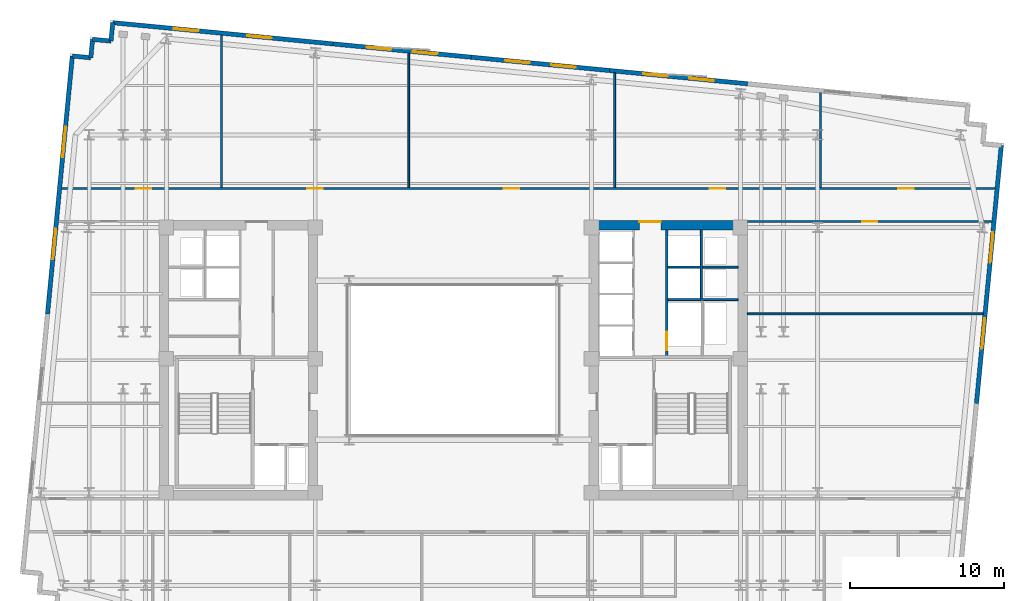
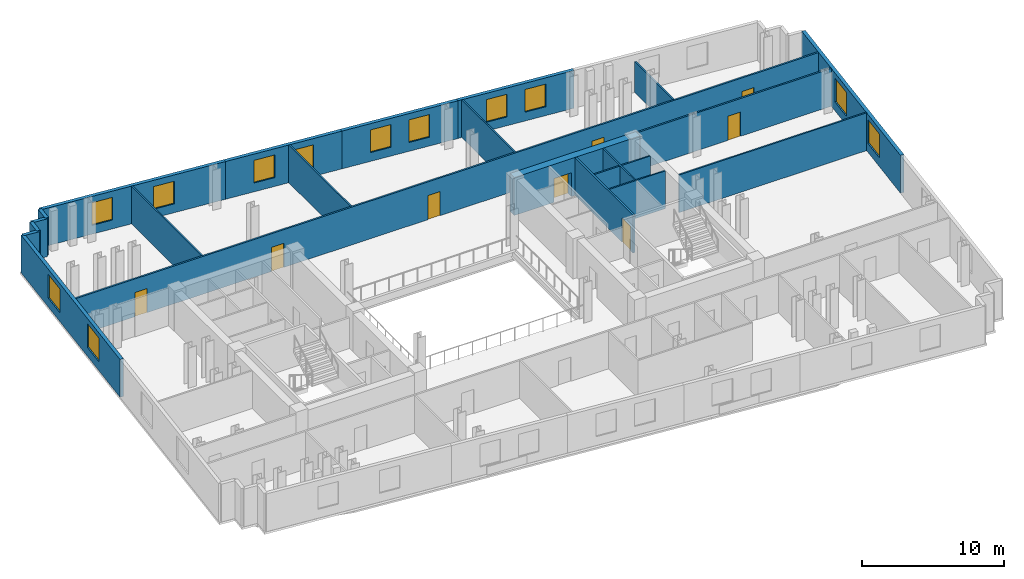
# One storey, part 6 of 9: 23 walls, 12 windows, 8 doors, 20 openings.
"""IFC4 building model written with IfcOpenShell, lengths in metres."""

from ifc_helpers import new_model, si_unit, direction, frame, frame_2d, origin, place, context, subcontext, project, spatial, rectangle, extrude, material, layer, layer_set, type_object, element, fill, save


model = new_model("IFC4")

# Units and contexts
model_context = context("Model", 3, precision=1e-05, world=origin(), true_north=direction((0.0, 1.0)))
body_context = subcontext(model_context, "Body", "Model", "MODEL_VIEW")
ifc_project = project(units=[si_unit("LENGTHUNIT", "METRE"), si_unit("AREAUNIT", "SQUARE_METRE"), si_unit("VOLUMEUNIT", "CUBIC_METRE"), si_unit("PLANEANGLEUNIT", "RADIAN"), si_unit("MASSUNIT", "GRAM", prefix="KILO")], contexts=[model_context])

# Site, building, storey
site_placement = place(None, origin())
site = spatial("IfcSite", under=ifc_project, at=site_placement, CompositionType="ELEMENT")
building_placement = place(site_placement, origin())
building = spatial("IfcBuilding", under=site, at=building_placement, Name="Velakula Bourse", CompositionType="ELEMENT")
storey_placement = place(building_placement, frame((0.0, 0.0, 170.75)))
storey = spatial("IfcBuildingStorey", under=building, at=storey_placement, Name="L46", CompositionType="ELEMENT", Elevation=170.75)

# Wall, opening, door
ifc_material_1 = material(Name="Concrete M70 (fck 70 MPa)", Category="concrete")
ifc_layer_1 = layer(ifc_material_1, 0.60009765625, Name="Concrete M70 (fck 70 MPa)", Category="concrete")
ifc_layer_set_1 = layer_set([ifc_layer_1], Name="Concrete M70 (fck 70 MPa)")
wall_type_1 = type_object("IfcWallType", Name="WL-CORE-600", PredefinedType="SHEAR", material=ifc_layer_set_1)
wall_1_placement = place(storey_placement, frame((8.800048828125, 8.75, 0.0), z_axis=(0.0, 0.0, 1.0), x_axis=(1.0, 0.0, 0.0)))
wall_1 = element("IfcWall", 1, at=wall_1_placement, inside=storey, type_object=wall_type_1, Name="L46 Core E Shear Wall N", PredefinedType="SHEAR", context=body_context, shape_type="SweptSolid", body=[
    extrude(rectangle(XDim=10.25, YDim=0.60009765625, at=frame_2d((5.125, 0.0))), origin(), (0.0, 0.0, 1.0), 3.27001953125),
])
opening_1_placement = place(wall_1_placement, frame((3.25, 0.0, 0.0)))
opening_1 = element("IfcOpeningElement", 2, at=opening_1_placement, cuts=wall_1, Name="Opening D-LLE", PredefinedType="OPENING", context=body_context, shape_type="SweptSolid", body=[
    extrude(rectangle(XDim=1.39990234375, YDim=2.050048828125, at=frame_2d((0.699951171875, 1.02490234375))), frame((0.0, 0.31005859375, 0.0), z_axis=(0.0, -1.0, 0.0), x_axis=(1.0, 0.0, 0.0)), (0.0, 0.0, 1.0), 0.6201171875),
])
ifc_material_2 = material(Name="Fire-rated hardwood flush architectural door", Category="wood")
door_type_1 = type_object("IfcDoorType", Name="DR-DBL-FD60-1400", OperationType="DOUBLE_DOOR_SINGLE_SWING", PredefinedType="DOOR", material=ifc_material_2)
door_1_placement = place(opening_1_placement, origin())
door_1 = element("IfcDoor", 3, at=door_1_placement, inside=storey, type_object=door_type_1, Name="L46 Core E Lift Lobby Corridor Double Door", OperationType="DOUBLE_DOOR_SINGLE_SWING", OverallHeight=2.050048828125, OverallWidth=1.39990234375, PredefinedType="DOOR", context=body_context, shape_type="SweptSolid", body=[
    extrude(rectangle(XDim=1.39990234375, YDim=2.050048828125, at=frame_2d((0.699951171875, 1.02490234375))), frame((0.0, 0.2451171875, 0.0), z_axis=(0.0, -1.0, 0.0), x_axis=(1.0, 0.0, 0.0)), (0.0, 0.0, 1.0), 0.050048828125),
])
fill(opening_1, door_1)

# Wall, openings, windows
ifc_material_3 = material(Name="Red kilned clay facing brick masonry", Category="masonry")
ifc_layer_2 = layer(ifc_material_3, 0.280029296875, Name="Red kilned clay facing brick masonry", Category="masonry")
ifc_layer_set_2 = layer_set([ifc_layer_2], Name="Red kilned clay facing brick masonry")
wall_type_2 = type_object("IfcWallType", Name="WL-EXT-BRK-280", PredefinedType="STANDARD", material=ifc_layer_set_2)
wall_2_placement = place(storey_placement, frame((-22.072509765625, 21.8701171875, 0.0), z_axis=(0.0, 0.0, 1.0), x_axis=(0.995395606285, -0.095851901334, 0.0)))
wall_2 = element("IfcWall", 4, at=wall_2_placement, inside=storey, type_object=wall_type_2, Name="L46 N Brick Spandrel Wall B1", PredefinedType="STANDARD", context=body_context, shape_type="SweptSolid", body=[
    extrude(rectangle(XDim=14.33984375, YDim=0.280029296875, at=frame_2d((7.169921875, 0.0))), origin(), (0.0, 0.0, 1.0), 3.25),
])
opening_2_placement = place(wall_2_placement, frame((3.97998046875, 0.0, 0.760009765625)))
opening_2 = element("IfcOpeningElement", 5, at=opening_2_placement, cuts=wall_2, Name="Opening W-02", PredefinedType="OPENING", context=body_context, shape_type="SweptSolid", body=[
    extrude(rectangle(XDim=1.60009765625, YDim=1.949951171875, at=frame_2d((0.800048828125, 0.97509765625))), frame((0.0, 0.14990234375, 0.0), z_axis=(0.0, -1.0, 0.0), x_axis=(1.0, 0.0, 0.0)), (0.0, 0.0, 1.0), 0.300048828125),
])
opening_3_placement = place(wall_2_placement, frame((8.760009765625, 0.0, 0.760009765625)))
opening_3 = element("IfcOpeningElement", 6, at=opening_3_placement, cuts=wall_2, Name="Opening W-02", PredefinedType="OPENING", context=body_context, shape_type="SweptSolid", body=[
    extrude(rectangle(XDim=1.60009765625, YDim=1.949951171875, at=frame_2d((0.800048828125, 0.97509765625))), frame((0.0, 0.14990234375, 0.0), z_axis=(0.0, -1.0, 0.0), x_axis=(1.0, 0.0, 0.0)), (0.0, 0.0, 1.0), 0.300048828125),
])
ifc_material_4 = material(Name="Double-glazed solar-control Low-E glass", Category="glass")
window_type_1 = type_object("IfcWindowType", Name="WIN-TWR-1600x2100", PartitioningType="SINGLE_PANEL", PredefinedType="WINDOW", material=ifc_material_4)
window_1_placement = place(opening_2_placement, origin())
window_1 = element("IfcWindow", 7, at=window_1_placement, inside=storey, type_object=window_type_1, Name="L46 Deep-Set Recessed Window 1", OverallHeight=1.949951171875, OverallWidth=1.60009765625, PartitioningType="SINGLE_PANEL", PredefinedType="WINDOW", context=body_context, shape_type="SweptSolid", body=[
    extrude(rectangle(XDim=1.60009765625, YDim=1.949951171875, at=frame_2d((0.800048828125, 0.97509765625))), frame((0.0, 0.030029296875, 0.0), z_axis=(0.0, -1.0, 0.0), x_axis=(1.0, 0.0, 0.0)), (0.0, 0.0, 1.0), 0.06005859375),
])
fill(opening_2, window_1)
window_2_placement = place(opening_3_placement, origin())
window_2 = element("IfcWindow", 8, at=window_2_placement, inside=storey, type_object=window_type_1, Name="L46 Deep-Set Recessed Window 2", OverallHeight=1.949951171875, OverallWidth=1.60009765625, PartitioningType="SINGLE_PANEL", PredefinedType="WINDOW", context=body_context, shape_type="SweptSolid", body=[
    extrude(rectangle(XDim=1.60009765625, YDim=1.949951171875, at=frame_2d((0.800048828125, 0.97509765625))), frame((0.0, 0.030029296875, 0.0), z_axis=(0.0, -1.0, 0.0), x_axis=(1.0, 0.0, 0.0)), (0.0, 0.0, 1.0), 0.06005859375),
])
fill(opening_3, window_2)

wall_3_placement = place(storey_placement, frame((-7.798583984375, 20.49560546875, 0.0), z_axis=(0.0, 0.0, 1.0), x_axis=(0.995396794462, -0.09583956164, 0.0)))
wall_3 = element("IfcWall", 9, at=wall_3_placement, inside=storey, type_object=wall_type_2, Name="L46 N Brick Spandrel Wall B2", PredefinedType="STANDARD", context=body_context, shape_type="SweptSolid", body=[
    extrude(rectangle(XDim=9.0, YDim=0.280029296875, at=frame_2d((4.5, 0.0))), origin(), (0.0, 0.0, 1.0), 3.25),
])
opening_4_placement = place(wall_3_placement, frame((2.199951171875, 0.0, 0.760009765625)))
opening_4 = element("IfcOpeningElement", 10, at=opening_4_placement, cuts=wall_3, Name="Opening W-02", PredefinedType="OPENING", context=body_context, shape_type="SweptSolid", body=[
    extrude(rectangle(XDim=1.60009765625, YDim=1.949951171875, at=frame_2d((0.800048828125, 0.97509765625))), frame((0.0, 0.14990234375, 0.0), z_axis=(0.0, -1.0, 0.0), x_axis=(1.0, 0.0, 0.0)), (0.0, 0.0, 1.0), 0.300048828125),
])
opening_5_placement = place(wall_3_placement, frame((5.199951171875, 0.0, 0.760009765625)))
opening_5 = element("IfcOpeningElement", 11, at=opening_5_placement, cuts=wall_3, Name="Opening W-02", PredefinedType="OPENING", context=body_context, shape_type="SweptSolid", body=[
    extrude(rectangle(XDim=1.60009765625, YDim=1.949951171875, at=frame_2d((0.800048828125, 0.97509765625))), frame((0.0, 0.14990234375, 0.0), z_axis=(0.0, -1.0, 0.0), x_axis=(1.0, 0.0, 0.0)), (0.0, 0.0, 1.0), 0.300048828125),
])
window_3_placement = place(opening_4_placement, origin())
window_3 = element("IfcWindow", 12, at=window_3_placement, inside=storey, type_object=window_type_1, Name="L46 Deep-Set Recessed Window 1", OverallHeight=1.949951171875, OverallWidth=1.60009765625, PartitioningType="SINGLE_PANEL", PredefinedType="WINDOW", context=body_context, shape_type="SweptSolid", body=[
    extrude(rectangle(XDim=1.60009765625, YDim=1.949951171875, at=frame_2d((0.800048828125, 0.97509765625))), frame((0.0, 0.030029296875, 0.0), z_axis=(0.0, -1.0, 0.0), x_axis=(1.0, 0.0, 0.0)), (0.0, 0.0, 1.0), 0.06005859375),
])
fill(opening_4, window_3)
window_4_placement = place(opening_5_placement, origin())
window_4 = element("IfcWindow", 13, at=window_4_placement, inside=storey, type_object=window_type_1, Name="L46 Deep-Set Recessed Window 2", OverallHeight=1.949951171875, OverallWidth=1.60009765625, PartitioningType="SINGLE_PANEL", PredefinedType="WINDOW", context=body_context, shape_type="SweptSolid", body=[
    extrude(rectangle(XDim=1.60009765625, YDim=1.949951171875, at=frame_2d((0.800048828125, 0.97509765625))), frame((0.0, 0.030029296875, 0.0), z_axis=(0.0, -1.0, 0.0), x_axis=(1.0, 0.0, 0.0)), (0.0, 0.0, 1.0), 0.06005859375),
])
fill(opening_5, window_4)

wall_4_placement = place(storey_placement, frame((1.159912109375, 19.633056640625, 0.0), z_axis=(0.0, 0.0, 1.0), x_axis=(0.995394455533, -0.09586385082, 0.0)))
wall_4 = element("IfcWall", 14, at=wall_4_placement, inside=storey, type_object=wall_type_2, Name="L46 N Brick Spandrel Wall B3", PredefinedType="STANDARD", context=body_context, shape_type="SweptSolid", body=[
    extrude(rectangle(XDim=9.000244140625, YDim=0.280029296875, at=frame_2d((4.5, 0.0))), origin(), (0.0, 0.0, 1.0), 3.25),
])
opening_6_placement = place(wall_4_placement, frame((2.199951171875, 0.0, 0.760009765625)))
opening_6 = element("IfcOpeningElement", 15, at=opening_6_placement, cuts=wall_4, Name="Opening W-02", PredefinedType="OPENING", context=body_context, shape_type="SweptSolid", body=[
    extrude(rectangle(XDim=1.60009765625, YDim=1.949951171875, at=frame_2d((0.800048828125, 0.97509765625))), frame((0.0, 0.14990234375, 0.0), z_axis=(0.0, -1.0, 0.0), x_axis=(1.0, 0.0, 0.0)), (0.0, 0.0, 1.0), 0.300048828125),
])
opening_7_placement = place(wall_4_placement, frame((5.199951171875, 0.0, 0.760009765625)))
opening_7 = element("IfcOpeningElement", 16, at=opening_7_placement, cuts=wall_4, Name="Opening W-02", PredefinedType="OPENING", context=body_context, shape_type="SweptSolid", body=[
    extrude(rectangle(XDim=1.60009765625, YDim=1.949951171875, at=frame_2d((0.800048828125, 0.97509765625))), frame((0.0, 0.14990234375, 0.0), z_axis=(0.0, -1.0, 0.0), x_axis=(1.0, 0.0, 0.0)), (0.0, 0.0, 1.0), 0.300048828125),
])
window_5_placement = place(opening_6_placement, origin())
window_5 = element("IfcWindow", 17, at=window_5_placement, inside=storey, type_object=window_type_1, Name="L46 Deep-Set Recessed Window 1", OverallHeight=1.949951171875, OverallWidth=1.60009765625, PartitioningType="SINGLE_PANEL", PredefinedType="WINDOW", context=body_context, shape_type="SweptSolid", body=[
    extrude(rectangle(XDim=1.60009765625, YDim=1.949951171875, at=frame_2d((0.800048828125, 0.97509765625))), frame((0.0, 0.030029296875, 0.0), z_axis=(0.0, -1.0, 0.0), x_axis=(1.0, 0.0, 0.0)), (0.0, 0.0, 1.0), 0.06005859375),
])
fill(opening_6, window_5)
window_6_placement = place(opening_7_placement, origin())
window_6 = element("IfcWindow", 18, at=window_6_placement, inside=storey, type_object=window_type_1, Name="L46 Deep-Set Recessed Window 2", OverallHeight=1.949951171875, OverallWidth=1.60009765625, PartitioningType="SINGLE_PANEL", PredefinedType="WINDOW", context=body_context, shape_type="SweptSolid", body=[
    extrude(rectangle(XDim=1.60009765625, YDim=1.949951171875, at=frame_2d((0.800048828125, 0.97509765625))), frame((0.0, 0.030029296875, 0.0), z_axis=(0.0, -1.0, 0.0), x_axis=(1.0, 0.0, 0.0)), (0.0, 0.0, 1.0), 0.06005859375),
])
fill(opening_7, window_6)

wall_5_placement = place(storey_placement, frame((10.11865234375, 18.770263671875, 0.0), z_axis=(0.0, 0.0, 1.0), x_axis=(0.995396794462, -0.09583956164, 0.0)))
wall_5 = element("IfcWall", 19, at=wall_5_placement, inside=storey, type_object=wall_type_2, Name="L46 N Brick Spandrel Wall B4", PredefinedType="STANDARD", context=body_context, shape_type="SweptSolid", body=[
    extrude(rectangle(XDim=9.0, YDim=0.280029296875, at=frame_2d((4.5, 0.0))), origin(), (0.0, 0.0, 1.0), 3.25),
])
opening_8_placement = place(wall_5_placement, frame((2.199951171875, 0.0, 0.760009765625)))
opening_8 = element("IfcOpeningElement", 20, at=opening_8_placement, cuts=wall_5, Name="Opening W-02", PredefinedType="OPENING", context=body_context, shape_type="SweptSolid", body=[
    extrude(rectangle(XDim=1.60009765625, YDim=1.949951171875, at=frame_2d((0.800048828125, 0.97509765625))), frame((0.0, 0.14990234375, 0.0), z_axis=(0.0, -1.0, 0.0), x_axis=(1.0, 0.0, 0.0)), (0.0, 0.0, 1.0), 0.300048828125),
])
opening_9_placement = place(wall_5_placement, frame((5.199951171875, 0.0, 0.760009765625)))
opening_9 = element("IfcOpeningElement", 21, at=opening_9_placement, cuts=wall_5, Name="Opening W-02", PredefinedType="OPENING", context=body_context, shape_type="SweptSolid", body=[
    extrude(rectangle(XDim=1.60009765625, YDim=1.949951171875, at=frame_2d((0.800048828125, 0.97509765625))), frame((0.0, 0.14990234375, 0.0), z_axis=(0.0, -1.0, 0.0), x_axis=(1.0, 0.0, 0.0)), (0.0, 0.0, 1.0), 0.300048828125),
])
window_7_placement = place(opening_8_placement, origin())
window_7 = element("IfcWindow", 22, at=window_7_placement, inside=storey, type_object=window_type_1, Name="L46 Deep-Set Recessed Window 1", OverallHeight=1.949951171875, OverallWidth=1.60009765625, PartitioningType="SINGLE_PANEL", PredefinedType="WINDOW", context=body_context, shape_type="SweptSolid", body=[
    extrude(rectangle(XDim=1.60009765625, YDim=1.949951171875, at=frame_2d((0.800048828125, 0.97509765625))), frame((0.0, 0.030029296875, 0.0), z_axis=(0.0, -1.0, 0.0), x_axis=(1.0, 0.0, 0.0)), (0.0, 0.0, 1.0), 0.06005859375),
])
fill(opening_8, window_7)
window_8_placement = place(opening_9_placement, origin())
window_8 = element("IfcWindow", 23, at=window_8_placement, inside=storey, type_object=window_type_1, Name="L46 Deep-Set Recessed Window 2", OverallHeight=1.949951171875, OverallWidth=1.60009765625, PartitioningType="SINGLE_PANEL", PredefinedType="WINDOW", context=body_context, shape_type="SweptSolid", body=[
    extrude(rectangle(XDim=1.60009765625, YDim=1.949951171875, at=frame_2d((0.800048828125, 0.97509765625))), frame((0.0, 0.030029296875, 0.0), z_axis=(0.0, -1.0, 0.0), x_axis=(1.0, 0.0, 0.0)), (0.0, 0.0, 1.0), 0.06005859375),
])
fill(opening_9, window_8)

wall_6_placement = place(storey_placement, frame((-26.30078125, 2.998291015625, 0.0), z_axis=(0.0, 0.0, 1.0), x_axis=(0.095837640115, 0.99539697947, 0.0)))
wall_6 = element("IfcWall", 24, at=wall_6_placement, inside=storey, type_object=wall_type_2, Name="L46 W Brick End Wall W2", PredefinedType="STANDARD", context=body_context, shape_type="SweptSolid", body=[
    extrude(rectangle(XDim=16.790283203125, YDim=0.280029296875, at=frame_2d((8.39501953125, 0.0))), origin(), (0.0, 0.0, 1.0), 3.25),
])
opening_10_placement = place(wall_6_placement, frame((3.546630859375, 0.0, 0.760009765625)))
opening_10 = element("IfcOpeningElement", 25, at=opening_10_placement, cuts=wall_6, Name="Opening W-05", PredefinedType="OPENING", context=body_context, shape_type="SweptSolid", body=[
    extrude(rectangle(XDim=2.0, YDim=2.050048828125, at=frame_2d((1.0, 1.02490234375))), frame((0.0, 0.14990234375, 0.0), z_axis=(0.0, -1.0, 0.0), x_axis=(1.0, 0.0, 0.0)), (0.0, 0.0, 1.0), 0.300048828125),
])
opening_11_placement = place(wall_6_placement, frame((10.193359375, 0.0, 0.760009765625)))
opening_11 = element("IfcOpeningElement", 26, at=opening_11_placement, cuts=wall_6, Name="Opening W-05", PredefinedType="OPENING", context=body_context, shape_type="SweptSolid", body=[
    extrude(rectangle(XDim=2.0, YDim=2.050048828125, at=frame_2d((1.0, 1.02490234375))), frame((0.0, 0.14990234375, 0.0), z_axis=(0.0, -1.0, 0.0), x_axis=(1.0, 0.0, 0.0)), (0.0, 0.0, 1.0), 0.300048828125),
])
window_type_2 = type_object("IfcWindowType", Name="WIN-TWR-2000x2200", PartitioningType="DOUBLE_PANEL_VERTICAL", PredefinedType="WINDOW", material=ifc_material_4)
window_9_placement = place(opening_10_placement, origin())
window_9 = element("IfcWindow", 27, at=window_9_placement, inside=storey, type_object=window_type_2, Name="L46 Deep-Set Recessed Window 1", OverallHeight=2.050048828125, OverallWidth=2.0, PartitioningType="DOUBLE_PANEL_VERTICAL", PredefinedType="WINDOW", context=body_context, shape_type="SweptSolid", body=[
    extrude(rectangle(XDim=2.0, YDim=2.050048828125, at=frame_2d((1.0, 1.02490234375))), frame((0.0, 0.030029296875, 0.0), z_axis=(0.0, -1.0, 0.0), x_axis=(1.0, 0.0, 0.0)), (0.0, 0.0, 1.0), 0.06005859375),
])
fill(opening_10, window_9)
window_10_placement = place(opening_11_placement, origin())
window_10 = element("IfcWindow", 28, at=window_10_placement, inside=storey, type_object=window_type_2, Name="L46 Deep-Set Recessed Window 2", OverallHeight=2.050048828125, OverallWidth=2.0, PartitioningType="DOUBLE_PANEL_VERTICAL", PredefinedType="WINDOW", context=body_context, shape_type="SweptSolid", body=[
    extrude(rectangle(XDim=2.0, YDim=2.050048828125, at=frame_2d((1.0, 1.02490234375))), frame((0.0, 0.030029296875, 0.0), z_axis=(0.0, -1.0, 0.0), x_axis=(1.0, 0.0, 0.0)), (0.0, 0.0, 1.0), 0.06005859375),
])
fill(opening_11, window_10)

wall_7_placement = place(storey_placement, frame((35.510009765625, 13.914306640625, 0.0), z_axis=(0.0, 0.0, 1.0), x_axis=(-0.095839027265, -0.995396845913, 0.0)))
wall_7 = element("IfcWall", 29, at=wall_7_placement, inside=storey, type_object=wall_type_2, Name="L46 E Brick End Wall W2", PredefinedType="STANDARD", context=body_context, shape_type="SweptSolid", body=[
    extrude(rectangle(XDim=16.7900390625, YDim=0.280029296875, at=frame_2d((8.39501953125, 0.0))), origin(), (0.0, 0.0, 1.0), 3.25),
])
opening_12_placement = place(wall_7_placement, frame((5.646728515625, 0.0, 0.760009765625)))
opening_12 = element("IfcOpeningElement", 30, at=opening_12_placement, cuts=wall_7, Name="Opening W-05", PredefinedType="OPENING", context=body_context, shape_type="SweptSolid", body=[
    extrude(rectangle(XDim=2.0, YDim=2.050048828125, at=frame_2d((1.0, 1.02490234375))), frame((0.0, 0.14990234375, 0.0), z_axis=(0.0, -1.0, 0.0), x_axis=(1.0, 0.0, 0.0)), (0.0, 0.0, 1.0), 0.300048828125),
])
opening_13_placement = place(wall_7_placement, frame((11.243408203125, 0.0, 0.760009765625)))
opening_13 = element("IfcOpeningElement", 31, at=opening_13_placement, cuts=wall_7, Name="Opening W-05", PredefinedType="OPENING", context=body_context, shape_type="SweptSolid", body=[
    extrude(rectangle(XDim=2.0, YDim=2.050048828125, at=frame_2d((1.0, 1.02490234375))), frame((0.0, 0.14990234375, 0.0), z_axis=(0.0, -1.0, 0.0), x_axis=(1.0, 0.0, 0.0)), (0.0, 0.0, 1.0), 0.300048828125),
])
window_11_placement = place(opening_12_placement, origin())
window_11 = element("IfcWindow", 32, at=window_11_placement, inside=storey, type_object=window_type_2, Name="L46 Deep-Set Recessed Window 1", OverallHeight=2.050048828125, OverallWidth=2.0, PartitioningType="DOUBLE_PANEL_VERTICAL", PredefinedType="WINDOW", context=body_context, shape_type="SweptSolid", body=[
    extrude(rectangle(XDim=2.0, YDim=2.050048828125, at=frame_2d((1.0, 1.02490234375))), frame((0.0, 0.030029296875, 0.0), z_axis=(0.0, -1.0, 0.0), x_axis=(1.0, 0.0, 0.0)), (0.0, 0.0, 1.0), 0.06005859375),
])
fill(opening_12, window_11)
window_12_placement = place(opening_13_placement, origin())
window_12 = element("IfcWindow", 33, at=window_12_placement, inside=storey, type_object=window_type_2, Name="L46 Deep-Set Recessed Window 2", OverallHeight=2.050048828125, OverallWidth=2.0, PartitioningType="DOUBLE_PANEL_VERTICAL", PredefinedType="WINDOW", context=body_context, shape_type="SweptSolid", body=[
    extrude(rectangle(XDim=2.0, YDim=2.050048828125, at=frame_2d((1.0, 1.02490234375))), frame((0.0, 0.030029296875, 0.0), z_axis=(0.0, -1.0, 0.0), x_axis=(1.0, 0.0, 0.0)), (0.0, 0.0, 1.0), 0.06005859375),
])
fill(opening_13, window_12)

# Walls
for number, where, z_axis, x_axis, name in (
    (34, (-22.072509765625, 21.8701171875, 0.0), (0.0, 0.0, 1.0), (-0.095817067274, -0.995398960025, 0.0), "L46 Serrated Corner Brick Wall NW-1"),
    (35, (-22.1875, 20.675537109375, 0.0), (0.0, 0.0, 1.0), (-0.995398960025, 0.095817067274, 0.0), "L46 Serrated Corner Brick Wall NW-2"),
    (36, (-23.382080078125, 20.79052734375, 0.0), (0.0, 0.0, 1.0), (-0.095817067274, -0.995398960025, 0.0), "L46 Serrated Corner Brick Wall NW-3"),
    (37, (-23.4970703125, 19.595947265625, 0.0), (0.0, 0.0, 1.0), (-0.995379537303, 0.096018626938, 0.0), "L46 Serrated Corner Brick Wall NW-4"),
):
    element("IfcWall", number, at=place(storey_placement, frame(where, z_axis=z_axis, x_axis=x_axis)), inside=storey, type_object=wall_type_2, Name=name, PredefinedType="STANDARD", context=body_context, shape_type="SweptSolid", body=[
        extrude(rectangle(XDim=1.2001953125, YDim=0.280029296875, at=frame_2d((0.60009765625, 0.0))), origin(), (0.0, 0.0, 1.0), 3.25),
    ])
ifc_material_5 = material(Name="Fire-rated double-layer gypsum drywall partition", Category="gypsum")
ifc_layer_3 = layer(ifc_material_5, 0.1201171875, Name="Fire-rated double-layer gypsum drywall partition", Category="gypsum")
ifc_layer_set_3 = layer_set([ifc_layer_3], Name="Fire-rated double-layer gypsum drywall partition")
wall_type_3 = type_object("IfcWallType", Name="WL-PART-120", PredefinedType="STANDARD", material=ifc_layer_set_3)
wall_8_placement = place(storey_placement, frame((13.89990234375, 3.919921875, 0.0), z_axis=(0.0, 0.0, 1.0), x_axis=(1.0, 0.0, 0.0)))
element("IfcWall", 38, at=wall_8_placement, inside=storey, type_object=wall_type_3, Name="L46 Interior Partition WL-CRE-L46-HI-S", PredefinedType="STANDARD", context=body_context, shape_type="SweptSolid", body=[
    extrude(rectangle(XDim=4.550048828125, YDim=0.1201171875, at=frame_2d((2.27490234375, 0.0))), origin(), (0.0, 0.0, 1.0), 3.25),
])
wall_9_placement = place(storey_placement, frame((16.14990234375, 6.030029296875, 0.0), z_axis=(0.0, 0.0, 1.0), x_axis=(1.0, 0.0, 0.0)))
element("IfcWall", 39, at=wall_9_placement, inside=storey, type_object=wall_type_3, Name="L46 Interior Partition WL-CRE-L46-RIS-MID", PredefinedType="STANDARD", context=body_context, shape_type="SweptSolid", body=[
    extrude(rectangle(XDim=2.300048828125, YDim=0.1201171875, at=frame_2d((1.14990234375, 0.0))), origin(), (0.0, 0.0, 1.0), 3.25),
])
wall_10_placement = place(storey_placement, frame((16.074951171875, 3.97998046875, 0.0), z_axis=(0.0, 0.0, 1.0), x_axis=(0.0, 1.0, 0.0)))
element("IfcWall", 40, at=wall_10_placement, inside=storey, type_object=wall_type_3, Name="L46 Interior Partition WL-CRE-L46-RIS-F", PredefinedType="STANDARD", context=body_context, shape_type="SweptSolid", body=[
    extrude(rectangle(XDim=4.469970703125, YDim=0.1201171875, at=frame_2d((2.23486328125, 0.0))), origin(), (0.0, 0.0, 1.0), 3.25),
])
wall_11_placement = place(storey_placement, frame((13.89990234375, 6.030029296875, 0.0), z_axis=(0.0, 0.0, 1.0), x_axis=(1.0, 0.0, 0.0)))
element("IfcWall", 41, at=wall_11_placement, inside=storey, type_object=wall_type_3, Name="L46 Interior Partition WL-CRE-L46-HI-DIV", PredefinedType="STANDARD", context=body_context, shape_type="SweptSolid", body=[
    extrude(rectangle(XDim=2.10009765625, YDim=0.1201171875, at=frame_2d((1.050048828125, 0.0))), origin(), (0.0, 0.0, 1.0), 3.25),
])
wall_12_placement = place(storey_placement, frame((-15.02197265625, 11.18994140625, 0.0), z_axis=(0.0, 0.0, 1.0), x_axis=(0.0, 1.0, 0.0)))
element("IfcWall", 42, at=wall_12_placement, inside=storey, type_object=wall_type_3, Name="L46 Interior Partition WL-INT-L46-N-D1", PredefinedType="STANDARD", context=body_context, shape_type="SweptSolid", body=[
    extrude(rectangle(XDim=9.880615234375, YDim=0.1201171875, at=frame_2d((4.9404296875, 0.0))), origin(), (0.0, 0.0, 1.0), 3.25),
])
wall_13_placement = place(storey_placement, frame((-2.89306640625, 11.18994140625, 0.0), z_axis=(0.0, 0.0, 1.0), x_axis=(0.0, 1.0, 0.0)))
element("IfcWall", 43, at=wall_13_placement, inside=storey, type_object=wall_type_3, Name="L46 Interior Partition WL-INT-L46-N-D2", PredefinedType="STANDARD", context=body_context, shape_type="SweptSolid", body=[
    extrude(rectangle(XDim=8.712646484375, YDim=0.1201171875, at=frame_2d((4.3564453125, 0.0))), origin(), (0.0, 0.0, 1.0), 3.25),
])
wall_14_placement = place(storey_placement, frame((10.448974609375, 11.18994140625, 0.0), z_axis=(0.0, 0.0, 1.0), x_axis=(0.0, 1.0, 0.0)))
element("IfcWall", 44, at=wall_14_placement, inside=storey, type_object=wall_type_3, Name="L46 Interior Partition WL-INT-L46-N-D3", PredefinedType="STANDARD", context=body_context, shape_type="SweptSolid", body=[
    extrude(rectangle(XDim=7.427978515625, YDim=0.1201171875, at=frame_2d((3.7138671875, 0.0))), origin(), (0.0, 0.0, 1.0), 3.25),
])
wall_15_placement = place(storey_placement, frame((23.791015625, 11.18994140625, 0.0), z_axis=(0.0, 0.0, 1.0), x_axis=(0.0, 1.0, 0.0)))
element("IfcWall", 45, at=wall_15_placement, inside=storey, type_object=wall_type_3, Name="L46 Interior Partition WL-INT-L46-N-D4", PredefinedType="STANDARD", context=body_context, shape_type="SweptSolid", body=[
    extrude(rectangle(XDim=6.143310546875, YDim=0.1201171875, at=frame_2d((3.07177734375, 0.0))), origin(), (0.0, 0.0, 1.0), 2.64501953125),
])
wall_16_placement = place(storey_placement, frame((19.050048828125, 3.0, 0.0), z_axis=(0.0, 0.0, 1.0), x_axis=(1.0, 0.0, 0.0)))
element("IfcWall", 46, at=wall_16_placement, inside=storey, type_object=wall_type_3, Name="L46 Interior Partition WL-INT-L46-E-H", PredefinedType="STANDARD", context=body_context, shape_type="SweptSolid", body=[
    extrude(rectangle(XDim=15.288330078125, YDim=0.1201171875, at=frame_2d((7.64404296875, 0.0))), origin(), (0.0, 0.0, 1.0), 3.25),
])

# Wall, openings, doors
ifc_layer_4 = layer(ifc_material_5, 0.139892578125, Name="Fire-rated double-layer gypsum drywall partition", Category="gypsum")
ifc_layer_set_4 = layer_set([ifc_layer_4], Name="Fire-rated double-layer gypsum drywall partition")
wall_type_4 = type_object("IfcWallType", Name="WL-PART-140", PredefinedType="STANDARD", material=ifc_layer_set_4)
wall_17_placement = place(storey_placement, frame((-25.398193359375, 11.1201171875, 0.0), z_axis=(0.0, 0.0, 1.0), x_axis=(1.0, 0.0, 0.0)))
wall_17 = element("IfcWall", 47, at=wall_17_placement, inside=storey, type_object=wall_type_4, Name="L46 Interior Partition WL-INT-L46-N-CORR", PredefinedType="STANDARD", context=body_context, shape_type="SweptSolid", body=[
    extrude(rectangle(XDim=60.5185546875, YDim=0.139892578125, at=frame_2d((30.25927734375, 0.0))), origin(), (0.0, 0.0, 1.0), 3.25),
])
opening_14_placement = place(wall_17_placement, frame((4.814208984375, 0.0, 0.0)))
opening_14 = element("IfcOpeningElement", 48, at=opening_14_placement, cuts=wall_17, Name="Opening D-OF1", PredefinedType="OPENING", context=body_context, shape_type="SweptSolid", body=[
    extrude(rectangle(XDim=1.0, YDim=2.080078125, at=frame_2d((0.5, 1.0400390625))), frame((0.0, 0.079833984375, 0.0), z_axis=(0.0, -1.0, 0.0), x_axis=(1.0, 0.0, 0.0)), (0.0, 0.0, 1.0), 0.159912109375),
])
opening_15_placement = place(wall_17_placement, frame((15.940673828125, 0.0, 0.0)))
opening_15 = element("IfcOpeningElement", 49, at=opening_15_placement, cuts=wall_17, Name="Opening D-OF1", PredefinedType="OPENING", context=body_context, shape_type="SweptSolid", body=[
    extrude(rectangle(XDim=1.0, YDim=2.080078125, at=frame_2d((0.5, 1.0400390625))), frame((0.0, 0.079833984375, 0.0), z_axis=(0.0, -1.0, 0.0), x_axis=(1.0, 0.0, 0.0)), (0.0, 0.0, 1.0), 0.159912109375),
])
opening_16_placement = place(wall_17_placement, frame((28.67626953125, 0.0, 0.0)))
opening_16 = element("IfcOpeningElement", 50, at=opening_16_placement, cuts=wall_17, Name="Opening D-OF1", PredefinedType="OPENING", context=body_context, shape_type="SweptSolid", body=[
    extrude(rectangle(XDim=1.0, YDim=2.080078125, at=frame_2d((0.5, 1.0400390625))), frame((0.0, 0.079833984375, 0.0), z_axis=(0.0, -1.0, 0.0), x_axis=(1.0, 0.0, 0.0)), (0.0, 0.0, 1.0), 0.159912109375),
])
opening_17_placement = place(wall_17_placement, frame((42.018310546875, 0.0, 0.0)))
opening_17 = element("IfcOpeningElement", 51, at=opening_17_placement, cuts=wall_17, Name="Opening D-OF1", PredefinedType="OPENING", context=body_context, shape_type="SweptSolid", body=[
    extrude(rectangle(XDim=1.0, YDim=2.080078125, at=frame_2d((0.5, 1.0400390625))), frame((0.0, 0.079833984375, 0.0), z_axis=(0.0, -1.0, 0.0), x_axis=(1.0, 0.0, 0.0)), (0.0, 0.0, 1.0), 0.159912109375),
])
opening_18_placement = place(wall_17_placement, frame((54.227783203125, 0.0, 0.0)))
opening_18 = element("IfcOpeningElement", 52, at=opening_18_placement, cuts=wall_17, Name="Opening D-OF1", PredefinedType="OPENING", context=body_context, shape_type="SweptSolid", body=[
    extrude(rectangle(XDim=1.0, YDim=2.080078125, at=frame_2d((0.5, 1.0400390625))), frame((0.0, 0.079833984375, 0.0), z_axis=(0.0, -1.0, 0.0), x_axis=(1.0, 0.0, 0.0)), (0.0, 0.0, 1.0), 0.159912109375),
])
door_type_2 = type_object("IfcDoorType", Name="DR-OFF-1000", OperationType="NOTDEFINED", PredefinedType="DOOR", material=ifc_material_2)
door_2_placement = place(opening_14_placement, origin())
door_2 = element("IfcDoor", 53, at=door_2_placement, inside=storey, type_object=door_type_2, Name="L46 Cash Equities Dealing Workspace Door", OperationType="SINGLE_SWING_LEFT", OverallHeight=2.080078125, OverallWidth=1.0, PredefinedType="DOOR", context=body_context, shape_type="SweptSolid", body=[
    extrude(rectangle(XDim=1.0, YDim=2.080078125, at=frame_2d((0.5, 1.0400390625))), frame((0.0, 0.02490234375, 0.0), z_axis=(0.0, -1.0, 0.0), x_axis=(1.0, 0.0, 0.0)), (0.0, 0.0, 1.0), 0.050048828125),
])
fill(opening_14, door_2)
door_3_placement = place(opening_15_placement, origin())
door_3 = element("IfcDoor", 54, at=door_3_placement, inside=storey, type_object=door_type_2, Name="L46 Arbitration Conference Room Door", OperationType="SINGLE_SWING_RIGHT", OverallHeight=2.080078125, OverallWidth=1.0, PredefinedType="DOOR", context=body_context, shape_type="SweptSolid", body=[
    extrude(rectangle(XDim=1.0, YDim=2.080078125, at=frame_2d((0.5, 1.0400390625))), frame((0.0, 0.02490234375, 0.0), z_axis=(0.0, -1.0, 0.0), x_axis=(1.0, 0.0, 0.0)), (0.0, 0.0, 1.0), 0.050048828125),
])
fill(opening_15, door_3)
door_4_placement = place(opening_16_placement, origin())
door_4 = element("IfcDoor", 55, at=door_4_placement, inside=storey, type_object=door_type_2, Name="L46 Tea Room Kitchenette Door", OperationType="SINGLE_SWING_LEFT", OverallHeight=2.080078125, OverallWidth=1.0, PredefinedType="DOOR", context=body_context, shape_type="SweptSolid", body=[
    extrude(rectangle(XDim=1.0, YDim=2.080078125, at=frame_2d((0.5, 1.0400390625))), frame((0.0, 0.02490234375, 0.0), z_axis=(0.0, -1.0, 0.0), x_axis=(1.0, 0.0, 0.0)), (0.0, 0.0, 1.0), 0.050048828125),
])
fill(opening_16, door_4)
door_5_placement = place(opening_17_placement, origin())
door_5 = element("IfcDoor", 56, at=door_5_placement, inside=storey, type_object=door_type_2, Name="L46 Sky-Garden Veranda Lounge Door", OperationType="SINGLE_SWING_RIGHT", OverallHeight=2.080078125, OverallWidth=1.0, PredefinedType="DOOR", context=body_context, shape_type="SweptSolid", body=[
    extrude(rectangle(XDim=1.0, YDim=2.080078125, at=frame_2d((0.5, 1.0400390625))), frame((0.0, 0.02490234375, 0.0), z_axis=(0.0, -1.0, 0.0), x_axis=(1.0, 0.0, 0.0)), (0.0, 0.0, 1.0), 0.050048828125),
])
fill(opening_17, door_5)
door_6_placement = place(opening_18_placement, origin())
door_6 = element("IfcDoor", 57, at=door_6_placement, inside=storey, type_object=door_type_2, Name="L46 Company Secretary Office Door", OperationType="SINGLE_SWING_LEFT", OverallHeight=2.080078125, OverallWidth=1.0, PredefinedType="DOOR", context=body_context, shape_type="SweptSolid", body=[
    extrude(rectangle(XDim=1.0, YDim=2.080078125, at=frame_2d((0.5, 1.0400390625))), frame((0.0, 0.02490234375, 0.0), z_axis=(0.0, -1.0, 0.0), x_axis=(1.0, 0.0, 0.0)), (0.0, 0.0, 1.0), 0.050048828125),
])
fill(opening_18, door_6)

# Wall, opening, door
wall_18_placement = place(storey_placement, frame((19.050048828125, 8.97998046875, 0.0), z_axis=(0.0, 0.0, 1.0), x_axis=(1.0, 0.0, 0.0)))
wall_18 = element("IfcWall", 58, at=wall_18_placement, inside=storey, type_object=wall_type_4, Name="L46 Interior Partition WL-INT-L46-E-NC", PredefinedType="STANDARD", context=body_context, shape_type="SweptSolid", body=[
    extrude(rectangle(XDim=15.8642578125, YDim=0.139892578125, at=frame_2d((7.93212890625, 0.0))), origin(), (0.0, 0.0, 1.0), 3.25),
])
opening_19_placement = place(wall_18_placement, frame((7.43212890625, 0.0, 0.0)))
opening_19 = element("IfcOpeningElement", 59, at=opening_19_placement, cuts=wall_18, Name="Opening D-OF1", PredefinedType="OPENING", context=body_context, shape_type="SweptSolid", body=[
    extrude(rectangle(XDim=1.0, YDim=2.080078125, at=frame_2d((0.5, 1.0400390625))), frame((0.0, 0.079833984375, 0.0), z_axis=(0.0, -1.0, 0.0), x_axis=(1.0, 0.0, 0.0)), (0.0, 0.0, 1.0), 0.159912109375),
])
door_7_placement = place(opening_19_placement, origin())
door_7 = element("IfcDoor", 60, at=door_7_placement, inside=storey, type_object=door_type_2, Name="L46 Broadcast Control Office Door", OperationType="SINGLE_SWING_LEFT", OverallHeight=2.080078125, OverallWidth=1.0, PredefinedType="DOOR", context=body_context, shape_type="SweptSolid", body=[
    extrude(rectangle(XDim=1.0, YDim=2.080078125, at=frame_2d((0.5, 1.0400390625))), frame((0.0, 0.02490234375, 0.0), z_axis=(0.0, -1.0, 0.0), x_axis=(1.0, 0.0, 0.0)), (0.0, 0.0, 1.0), 0.050048828125),
])
fill(opening_19, door_7)

ifc_material_6 = material(Name="Autoclaved aerated concrete blockwork masonry", Category="masonry")
ifc_layer_5 = layer(ifc_material_6, 0.14990234375, Name="Autoclaved aerated concrete blockwork masonry", Category="masonry")
ifc_layer_set_5 = layer_set([ifc_layer_5], Name="Autoclaved aerated concrete blockwork masonry")
wall_type_5 = type_object("IfcWallType", Name="WL-SHAFT-150", PredefinedType="STANDARD", material=ifc_layer_set_5)
wall_19_placement = place(storey_placement, frame((13.824951171875, 0.27001953125, 0.0), z_axis=(0.0, 0.0, 1.0), x_axis=(0.0, 1.0, 0.0)))
wall_19 = element("IfcWall", 61, at=wall_19_placement, inside=storey, type_object=wall_type_5, Name="L46 Interior Partition WL-CRE-L46-OUT-F", PredefinedType="STANDARD", context=body_context, shape_type="SweptSolid", body=[
    extrude(rectangle(XDim=8.179931640625, YDim=0.14990234375, at=frame_2d((4.08984375, 0.0))), origin(), (0.0, 0.0, 1.0), 3.25),
])
opening_20_placement = place(wall_19_placement, frame((0.3798828125, 0.0, 0.0)))
opening_20 = element("IfcOpeningElement", 62, at=opening_20_placement, cuts=wall_19, Name="Opening LD-SVL1", PredefinedType="OPENING", context=body_context, shape_type="SweptSolid", body=[
    extrude(rectangle(XDim=1.199951171875, YDim=2.10009765625, at=frame_2d((0.60009765625, 1.050048828125))), frame((0.0, 0.0849609375, 0.0), z_axis=(0.0, -1.0, 0.0), x_axis=(1.0, 0.0, 0.0)), (0.0, 0.0, 1.0), 0.169921875),
])
ifc_material_7 = material(Name="Brushed grade 316 stainless steel", Category="steel")
door_type_3 = type_object("IfcDoorType", Name="DR-SLIDE-LD-1200", OperationType="DOUBLE_DOOR_SLIDING", PredefinedType="DOOR", material=ifc_material_7)
door_8_placement = place(opening_20_placement, origin())
door_8 = element("IfcDoor", 63, at=door_8_placement, inside=storey, type_object=door_type_3, Name="L46 Service Lift SVL-1 Sliding Landing Door", OperationType="DOUBLE_DOOR_SLIDING", OverallHeight=2.10009765625, OverallWidth=1.199951171875, PredefinedType="DOOR", context=body_context, shape_type="SweptSolid", body=[
    extrude(rectangle(XDim=1.199951171875, YDim=2.10009765625, at=frame_2d((0.60009765625, 1.050048828125))), frame((0.0, 0.02490234375, 0.0), z_axis=(0.0, -1.0, 0.0), x_axis=(1.0, 0.0, 0.0)), (0.0, 0.0, 1.0), 0.050048828125),
])
fill(opening_20, door_8)

save(model, "model.ifc")
